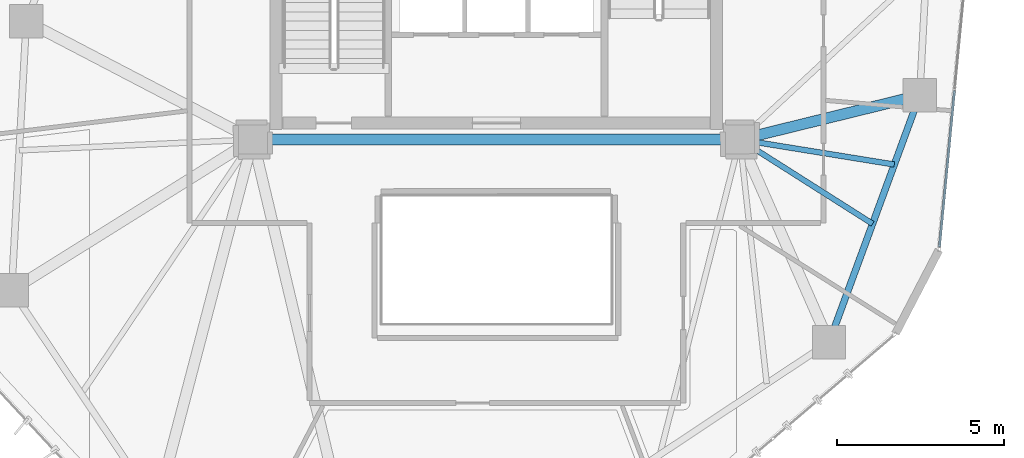
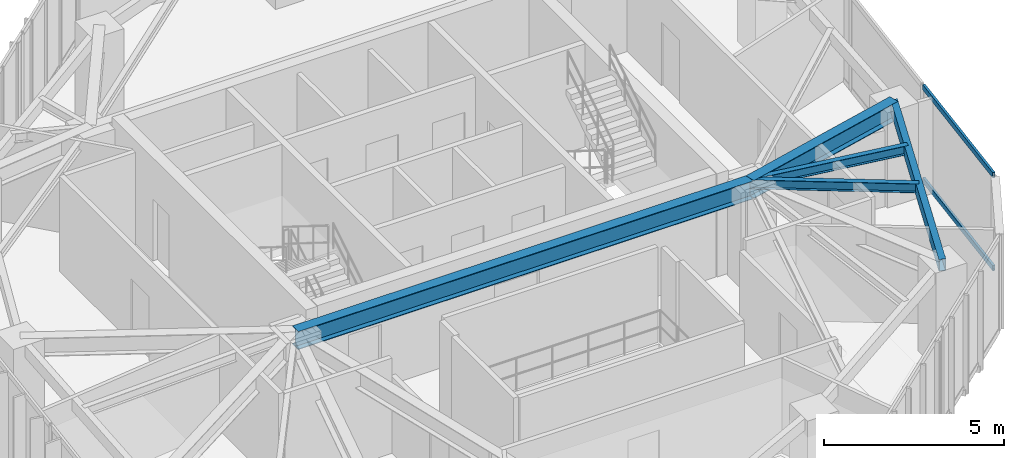
# One storey, part 9 of 20: 5 beams, 2 members, 1 element without a shape of its own.
"""IFC4 building model written with IfcOpenShell, lengths in metres."""

from ifc_helpers import new_model, si_unit, direction, frame, origin, origin_2d, place, context, subcontext, project, spatial, hollow_rectangle, i_section, extrude, source, transform, mapped, material, layer, layer_set, material_profile, profile_set, type_object, type_shapes, element, aggregate, save


model = new_model("IFC4")

# Units and contexts
model_context = context("Model", 3, precision=1e-05, world=origin(), true_north=direction((0.0, 1.0)))
body_context = subcontext(model_context, "Body", "Model", "MODEL_VIEW")
ifc_project = project(units=[si_unit("LENGTHUNIT", "METRE"), si_unit("AREAUNIT", "SQUARE_METRE"), si_unit("VOLUMEUNIT", "CUBIC_METRE"), si_unit("PLANEANGLEUNIT", "RADIAN"), si_unit("MASSUNIT", "GRAM", prefix="KILO")], contexts=[model_context])

# Site, building, storey
site_placement = place(None, origin())
site = spatial("IfcSite", under=ifc_project, at=site_placement, CompositionType="ELEMENT")
building_placement = place(site_placement, origin())
building = spatial("IfcBuilding", under=site, at=building_placement, Name="Talar Marvaseh", CompositionType="ELEMENT")
storey_placement = place(building_placement, frame((0.0, 0.0, 211.699951171875)))
storey = spatial("IfcBuildingStorey", under=building, at=storey_placement, Name="L55", CompositionType="ELEMENT", Elevation=211.699951171875)

# Beams
ifc_material_1 = material(Name="Steel S355", Category="steel")
ifc_material_profile_1 = material_profile(ifc_material_1, hollow_rectangle(XDim=0.199951171875, YDim=0.39990234375, WallThickness=0.013916015625, at=origin_2d()), Name="RHS400x200x14")
ifc_profile_set_1 = profile_set([ifc_material_profile_1], Name="Steel S355")
beam_type_1 = type_object("IfcBeamType", Name="Zone 3 Perimeter Spandrel Beam RHS400x200x14", PredefinedType="SPANDREL", material=ifc_profile_set_1)
beam_1_placement = place(storey_placement, frame((38.68896484375, 26.823974609375, 3.030029296875), z_axis=(-0.344742291376, -0.938697370049, 0.0), x_axis=(0.938697370049, -0.344742291376, 0.0)))
element("IfcBeam", 1, at=beam_1_placement, inside=storey, type_object=beam_type_1, Name="L55 Zone 3 Perimeter Spandrel Beam RHS400x200x14", PredefinedType="SPANDREL", context=body_context, shape_type="SweptSolid", body=[
    extrude(hollow_rectangle(XDim=0.199951171875, YDim=0.39990234375, WallThickness=0.013916015625, at=origin_2d()), origin(), (0.0, 0.0, 1.0), 7.88427734375),
])
ifc_material_profile_2 = material_profile(ifc_material_1, i_section(OverallWidth=0.324951171875, OverallDepth=0.615966796875, WebThickness=0.013916015625, FlangeThickness=0.021484375, at=origin_2d()), Name="W610x174")
ifc_profile_set_2 = profile_set([ifc_material_profile_2], Name="Steel S355")
beam_type_2 = type_object("IfcBeamType", Name="Zone 3 Radial Floor Girder W610x174", PredefinedType="BEAM", material=ifc_profile_set_2)
beam_2_placement = place(storey_placement, frame((18.699951171875, 25.5, 2.922119140625), z_axis=(1.0, 0.0, 0.0), x_axis=(0.0, 1.0, 0.0)))
element("IfcBeam", 2, at=beam_2_placement, inside=storey, type_object=beam_type_2, Name="L55 Zone 3 Radial Floor Girder W610x174", PredefinedType="BEAM", context=body_context, shape_type="SweptSolid", body=[
    extrude(i_section(OverallWidth=0.324951171875, OverallDepth=0.615966796875, WebThickness=0.013916015625, FlangeThickness=0.021484375, at=origin_2d()), origin(), (0.0, 0.0, 1.0), 14.60009765625),
])
beam_3_placement = place(storey_placement, frame((38.68896484375, 26.823974609375, 2.922119140625), z_axis=(-0.971120507527, -0.238589521692, 0.0), x_axis=(0.238589521692, -0.971120507527, 0.0)))
element("IfcBeam", 3, at=beam_3_placement, inside=storey, type_object=beam_type_2, Name="L55 Zone 3 Radial Floor Girder W610x174", PredefinedType="BEAM", context=body_context, shape_type="SweptSolid", body=[
    extrude(i_section(OverallWidth=0.324951171875, OverallDepth=0.615966796875, WebThickness=0.013916015625, FlangeThickness=0.021484375, at=origin_2d()), origin(), (0.0, 0.0, 1.0), 5.549072265625),
])
ifc_material_profile_3 = material_profile(ifc_material_1, i_section(OverallWidth=0.166015625, OverallDepth=0.31298828125, WebThickness=0.006591796875, FlangeThickness=0.01123046875, at=origin_2d()), Name="W310x45")
ifc_profile_set_3 = profile_set([ifc_material_profile_3], Name="Steel S355")
beam_type_3 = type_object("IfcBeamType", Name="Zone 3 Secondary Floor Joist W310x45", PredefinedType="JOIST", material=ifc_profile_set_3)
beam_4_placement = place(storey_placement, frame((37.927978515625, 24.751708984375, 3.073486328125), z_axis=(-0.987178985963, 0.159617197298, 0.0), x_axis=(-0.159617197298, -0.987178985963, 0.0)))
element("IfcBeam", 4, at=beam_4_placement, inside=storey, type_object=beam_type_3, Name="L55 Zone 3 Secondary Floor Joist W310x45", PredefinedType="JOIST", context=body_context, shape_type="SweptSolid", body=[
    extrude(i_section(OverallWidth=0.166015625, OverallDepth=0.31298828125, WebThickness=0.006591796875, FlangeThickness=0.01123046875, at=origin_2d()), origin(), (0.0, 0.0, 1.0), 4.68798828125),
])
beam_5_placement = place(storey_placement, frame((37.275634765625, 22.9755859375, 3.073486328125), z_axis=(-0.844190472961, 0.536043324147, 0.0), x_axis=(-0.536043324147, -0.844190472961, 0.0)))
element("IfcBeam", 5, at=beam_5_placement, inside=storey, type_object=beam_type_3, Name="L55 Zone 3 Secondary Floor Joist W310x45", PredefinedType="JOIST", context=body_context, shape_type="SweptSolid", body=[
    extrude(i_section(OverallWidth=0.166015625, OverallDepth=0.31298828125, WebThickness=0.006591796875, FlangeThickness=0.01123046875, at=origin_2d()), origin(), (0.0, 0.0, 1.0), 4.709228515625),
])

# Curtain wall, members
ifc_material_2 = material(Name="Architectural Aluminium", Category="aluminium")
ifc_layer = layer(ifc_material_2, 0.18994140625)
ifc_layer_set = layer_set([ifc_layer], Name="Architectural Aluminium")
curtain_wall_type = type_object("IfcCurtainWallType", Name="Unitised Solar Atelier Curtain Wall Z3", PredefinedType="NOTDEFINED", material=ifc_layer_set)
curtain_wall_placement = place(storey_placement, origin())
curtain_wall = element("IfcCurtainWall", 6, at=curtain_wall_placement, inside=storey, type_object=curtain_wall_type, Name="L55 Unitised Solar Atelier Curtain Wall Z3", PredefinedType="NOTDEFINED")
ifc_material_profile_4 = material_profile(ifc_material_2, hollow_rectangle(XDim=0.074951171875, YDim=0.179931640625, WallThickness=0.0048828125, at=origin_2d()), Name="RHS180x75x5")
ifc_profile_set_4 = profile_set([ifc_material_profile_4], Name="Architectural Aluminium")
member_type = type_object("IfcMemberType", Name="Unitised Curtain Wall Transom RHS180x75x5", PredefinedType="USERDEFINED", material=ifc_profile_set_4)
shared_shape = source(origin(), body_context, "Body", "SweptSolid", [
    extrude(hollow_rectangle(XDim=0.074951171875, YDim=0.179931640625, WallThickness=0.0048828125, at=origin_2d()), origin(), (0.0, 0.0, 1.0), 4.70947265625),
])
type_shapes(member_type, [shared_shape])
member_1_placement = place(storey_placement, frame((39.7294921875, 26.966552734375, 0.03759765625), z_axis=(-0.096007751982, -0.995380586288, 0.0), x_axis=(0.995380586288, -0.096007751982, 0.0)))
member_1 = element("IfcMember", 7, at=member_1_placement, type_object=member_type, Name="CW-Z3 transom 4.1", ObjectType="TRANSOM", PredefinedType="USERDEFINED", context=body_context, shape_type="MappedRepresentation", body=[
    mapped(shared_shape, transform((0.0, 0.0, 0.0), x_axis=(1.0, 0.0, 0.0), y_axis=(0.0, 1.0, 0.0), z_axis=(0.0, 0.0, 1.0), scale=1.0)),
])
member_2_placement = place(storey_placement, frame((39.7294921875, 26.966552734375, 3.192626953125), z_axis=(-0.096007751982, -0.995380586288, 0.0), x_axis=(0.995380586288, -0.096007751982, 0.0)))
member_2 = element("IfcMember", 8, at=member_2_placement, type_object=member_type, Name="CW-Z3 transom 4.2", ObjectType="TRANSOM", PredefinedType="USERDEFINED", context=body_context, shape_type="MappedRepresentation", body=[
    mapped(shared_shape, transform((0.0, 0.0, 0.0), x_axis=(1.0, 0.0, 0.0), y_axis=(0.0, 1.0, 0.0), z_axis=(0.0, 0.0, 1.0), scale=1.0)),
])
aggregate(curtain_wall, [member_1, member_2])

save(model, "model.ifc")
